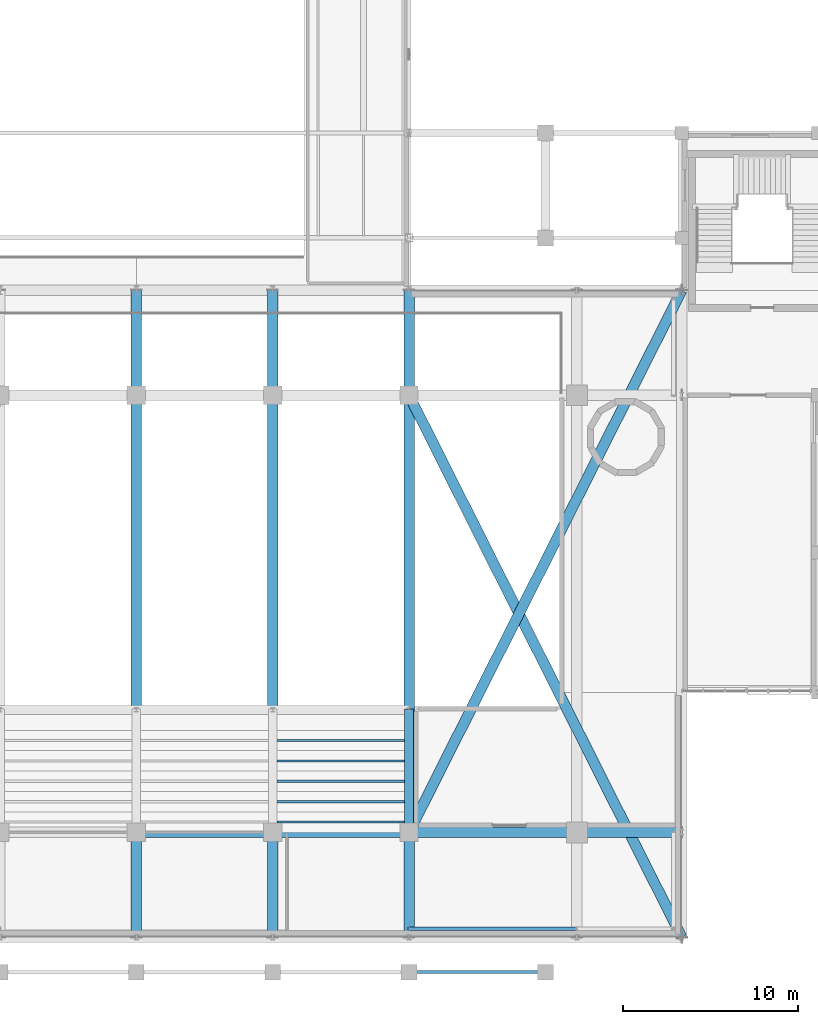
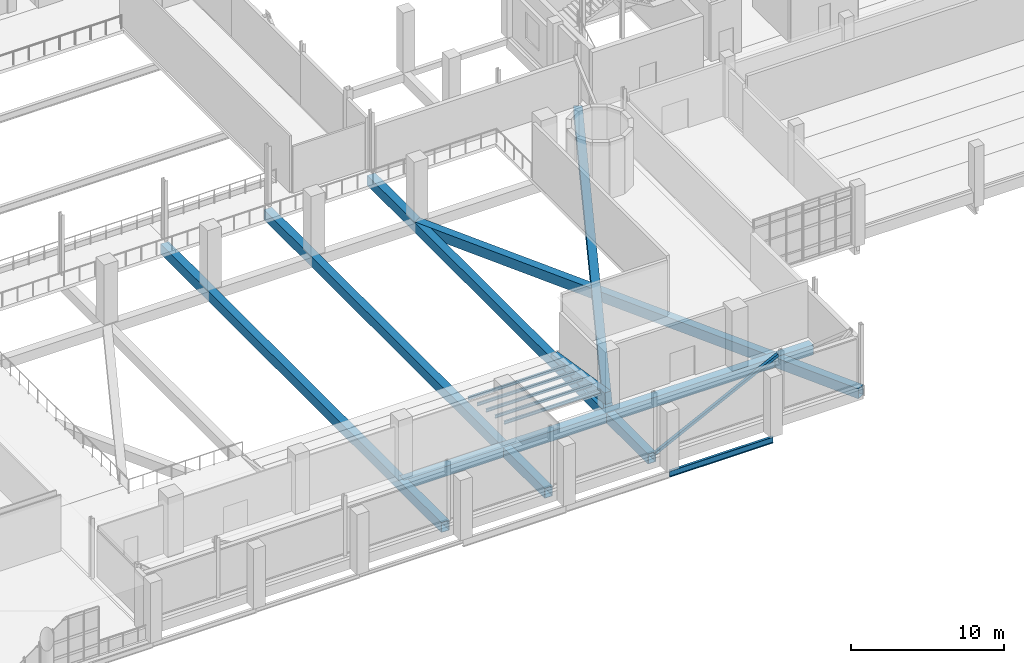
# One storey, part 35 of 100: 12 beams, 2 members.
"""IFC4 building model written with IfcOpenShell, lengths in metres."""

from ifc_helpers import new_model, si_unit, derived_unit, direction, frame, origin, origin_2d, place, context, subcontext, project, spatial, rectangle, hollow_rectangle, i_section, extrude, material, material_profile, profile_set, type_object, element, save


model = new_model("IFC4")

# Units and contexts
model_context = context("Model", 3, precision=1e-05, world=origin(), true_north=direction((0.0, 1.0)))
body_context = subcontext(model_context, "Body", "Model", "MODEL_VIEW")
ifc_project = project(units=[si_unit("LENGTHUNIT", "METRE"), si_unit("AREAUNIT", "SQUARE_METRE"), si_unit("VOLUMEUNIT", "CUBIC_METRE"), si_unit("PLANEANGLEUNIT", "RADIAN"), si_unit("MASSUNIT", "GRAM", prefix="KILO"), derived_unit("THERMALTRANSMITTANCEUNIT", [(si_unit("POWERUNIT", "WATT"), 1), (si_unit("LENGTHUNIT", "METRE"), -2), (si_unit("THERMODYNAMICTEMPERATUREUNIT", "KELVIN"), -1)])], contexts=[model_context])

# Site, building, storey
site_placement = place(None, origin())
site = spatial("IfcSite", under=ifc_project, at=site_placement, CompositionType="ELEMENT")
building_placement = place(site_placement, origin())
building = spatial("IfcBuilding", under=site, at=building_placement, Name="Nallur Shell Playhouse", CompositionType="ELEMENT")
storey_placement = place(building_placement, frame((0.0, 0.0, 10.199951171875)))
storey = spatial("IfcBuildingStorey", under=building, at=storey_placement, Name="L03", CompositionType="ELEMENT", Elevation=10.199951171875)

# Beams
ifc_material_1 = material(Name="Steel E250", Category="steel")
ifc_material_profile_1 = material_profile(ifc_material_1, i_section(OverallWidth=0.125, OverallDepth=0.25, WebThickness=0.0068359375, FlangeThickness=0.012451171875, FilletRadius=0.012939453125, at=origin_2d()), Name="ISMB 250")
ifc_profile_set_1 = profile_set([ifc_material_profile_1], Name="Steel E250")
beam_type_1 = type_object("IfcBeamType", Name="BM-JST-ISMB250", PredefinedType="JOIST", material=ifc_profile_set_1)
for number, where, z_axis, x_axis, name in (
    (1, (95.447998046875, 21.25, 0.10498046875), (1.0, 0.0, 0.0), (0.0, 1.0, 0.0), "Seating tier step bearer DRESS row 2 (95.2-103.0)"),
    (2, (95.447998046875, 20.083251953125, 0.324951171875), (1.0, 0.0, 0.0), (0.0, 1.0, 0.0), "Seating tier step bearer DRESS row 3 (95.2-103.0)"),
    (3, (95.447998046875, 18.916748046875, 0.545166015625), (1.0, 0.0, 0.0), (0.0, 1.0, 0.0), "Seating tier step bearer DRESS row 4 (95.2-103.0)"),
    (4, (95.447998046875, 17.75, 0.76513671875), (1.0, 0.0, 0.0), (0.0, 1.0, 0.0), "Seating tier step bearer DRESS row 5 (95.2-103.0)"),
    (5, (95.447998046875, 16.583251953125, 0.985107421875), (1.0, 0.0, 0.0), (0.0, 1.0, 0.0), "Seating tier step bearer DRESS row 6 (95.2-103.0)"),
):
    element("IfcBeam", number, at=place(storey_placement, frame(where, z_axis=z_axis, x_axis=x_axis)), inside=storey, type_object=beam_type_1, Name=name, PredefinedType="JOIST", context=body_context, shape_type="SweptSolid", body=[
        extrude(i_section(OverallWidth=0.125, OverallDepth=0.25, WebThickness=0.0068359375, FlangeThickness=0.012451171875, FilletRadius=0.012939453125, at=origin_2d()), origin(), (0.0, 0.0, 1.0), 7.303955078125),
    ])
ifc_material_2 = material(Name="Steel E350", Category="steel")
ifc_material_profile_2 = material_profile(ifc_material_2, i_section(OverallWidth=0.179931640625, OverallDepth=0.5, WebThickness=0.01025390625, FlangeThickness=0.01708984375, FilletRadius=0.01708984375, at=origin_2d()), Name="ISMB 500")
ifc_profile_set_2 = profile_set([ifc_material_profile_2], Name="Steel E350")
beam_type_2 = type_object("IfcBeamType", Name="BM-ST-ISMB500", PredefinedType="BEAM", material=ifc_profile_set_2)
beam_1_placement = place(storey_placement, frame((103.0, 8.0, -0.510009765625), z_axis=(1.0, 0.0, 0.0), x_axis=(0.0, 1.0, 0.0)))
element("IfcBeam", 6, at=beam_1_placement, inside=storey, type_object=beam_type_2, Name="L03 girder X-A-586", PredefinedType="BEAM", context=body_context, shape_type="SweptSolid", body=[
    extrude(i_section(OverallWidth=0.179931640625, OverallDepth=0.5, WebThickness=0.01025390625, FlangeThickness=0.01708984375, FilletRadius=0.01708984375, at=origin_2d()), origin(), (0.0, 0.0, 1.0), 7.800048828125),
])
ifc_material_profile_3 = material_profile(ifc_material_2, hollow_rectangle(XDim=0.60009765625, YDim=0.800048828125, WallThickness=0.02490234375, at=origin_2d()), Name="BOX 600x800x25")
ifc_profile_set_3 = profile_set([ifc_material_profile_3], Name="Steel E350")
beam_type_3 = type_object("IfcBeamType", Name="BM-TT-CHORD", PredefinedType="BEAM", material=ifc_profile_set_3)
beam_2_placement = place(storey_placement, frame((87.39990234375, 16.0, -0.659912109375), z_axis=(1.0, 0.0, 0.0), x_axis=(0.0, 1.0, 0.0)))
element("IfcBeam", 7, at=beam_2_placement, inside=storey, type_object=beam_type_3, Name="Transfer truss TT-1 top chord 2", PredefinedType="BEAM", context=body_context, shape_type="SweptSolid", body=[
    extrude(hollow_rectangle(XDim=0.60009765625, YDim=0.800048828125, WallThickness=0.02490234375, at=origin_2d()), origin(), (0.0, 0.0, 1.0), 30.902099609375),
])
for number, where, z_axis, x_axis, name in (
    (8, (87.39990234375, 10.298095703125, -0.659912109375), (0.0, 1.0, 0.0), (-1.0, 0.0, 0.0), "Transfer truss TT-5 top chord 1"),
    (9, (95.199951171875, 10.298095703125, -0.659912109375), (0.0, 1.0, 0.0), (-1.0, 0.0, 0.0), "Transfer truss TT-6 top chord 1"),
    (10, (103.0, 10.298095703125, -0.659912109375), (0.0, 1.0, 0.0), (-1.0, 0.0, 0.0), "Transfer truss TT-7 top chord 1"),
):
    element("IfcBeam", number, at=place(storey_placement, frame(where, z_axis=z_axis, x_axis=x_axis)), inside=storey, type_object=beam_type_3, Name=name, PredefinedType="BEAM", context=body_context, shape_type="SweptSolid", body=[
        extrude(hollow_rectangle(XDim=0.60009765625, YDim=0.800048828125, WallThickness=0.02490234375, at=origin_2d()), origin(), (0.0, 0.0, 1.0), 36.701904296875),
    ])
for number, where, z_axis, x_axis, name in (
    (11, (103.0, 41.0, -0.659912109375), (0.449519572616, -0.893270481901, 0.0), (0.893270481901, 0.449519572616, 0.0), "Corner transfer TTC-SE top chord"),
    (12, (103.0, 16.0, -0.659912109375), (0.449519572616, 0.893270481901, 0.0), (-0.893270481901, 0.449519572616, 0.0), "Corner transfer TTC-NE top chord"),
):
    element("IfcBeam", number, at=place(storey_placement, frame(where, z_axis=z_axis, x_axis=x_axis)), inside=storey, type_object=beam_type_3, Name=name, PredefinedType="BEAM", context=body_context, shape_type="SweptSolid", body=[
        extrude(hollow_rectangle(XDim=0.60009765625, YDim=0.800048828125, WallThickness=0.02490234375, at=origin_2d()), origin(), (0.0, 0.0, 1.0), 34.703857421875),
    ])

# Members
ifc_material_profile_4 = material_profile(ifc_material_2, hollow_rectangle(XDim=0.219970703125, YDim=0.219970703125, WallThickness=0.011962890625, at=origin_2d()), Name="SHS 220x220x12")
ifc_profile_set_4 = profile_set([ifc_material_profile_4], Name="Steel E350")
member_type_1 = type_object("IfcMemberType", Name="MB-FT-BRACE2", PredefinedType="BRACE", material=ifc_profile_set_4)
member_1_placement = place(storey_placement, frame((103.0, 10.47998046875, -0.659912109375), z_axis=(0.894427191, 0.0, 0.4472135955), x_axis=(0.0, 1.0, 0.0)))
element("IfcMember", 13, at=member_1_placement, inside=storey, type_object=member_type_1, Name="Gold box fascia brace L03-8", PredefinedType="BRACE", context=body_context, shape_type="SweptSolid", body=[
    extrude(hollow_rectangle(XDim=0.219970703125, YDim=0.219970703125, WallThickness=0.011962890625, at=origin_2d()), origin(), (0.0, 0.0, 1.0), 10.733154296875),
])
ifc_material_3 = material(Name="Concrete M40", Category="concrete")
ifc_material_profile_5 = material_profile(ifc_material_3, rectangle(XDim=0.5, YDim=0.85009765625, at=origin_2d()), Name="RC 500x850")
ifc_profile_set_5 = profile_set([ifc_material_profile_5], Name="Concrete M40")
member_type_2 = type_object("IfcMemberType", Name="MB-RAKER-RC", PredefinedType="STRINGER", material=ifc_profile_set_5)
member_2_placement = place(storey_placement, frame((103.0, 23.0, -0.4150390625), z_axis=(0.0, -0.987875011802, 0.155251283593), x_axis=(1.0, 0.0, 0.0)))
element("IfcMember", 14, at=member_2_placement, inside=storey, type_object=member_type_2, Name="Auditorium raker beam DRESS RAKER 4", PredefinedType="STRINGER", context=body_context, shape_type="SweptSolid", body=[
    extrude(rectangle(XDim=0.5, YDim=0.85009765625, at=origin_2d()), origin(), (0.0, 0.0, 1.0), 7.0859375),
])

save(model, "model.ifc")
